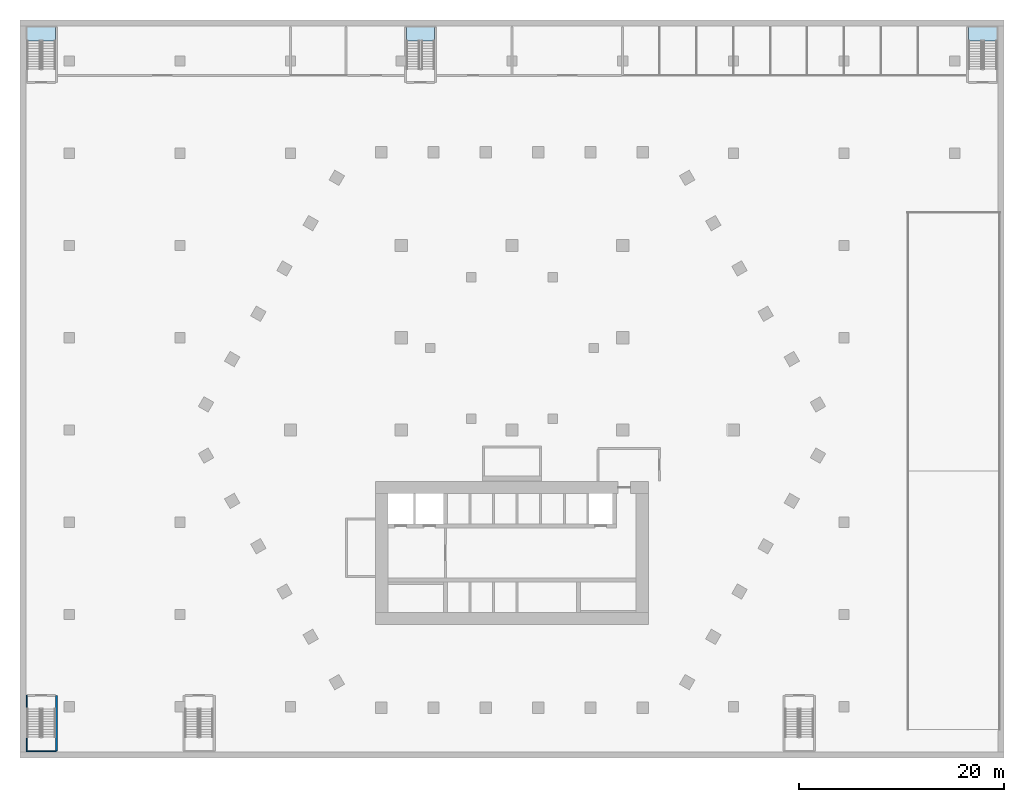
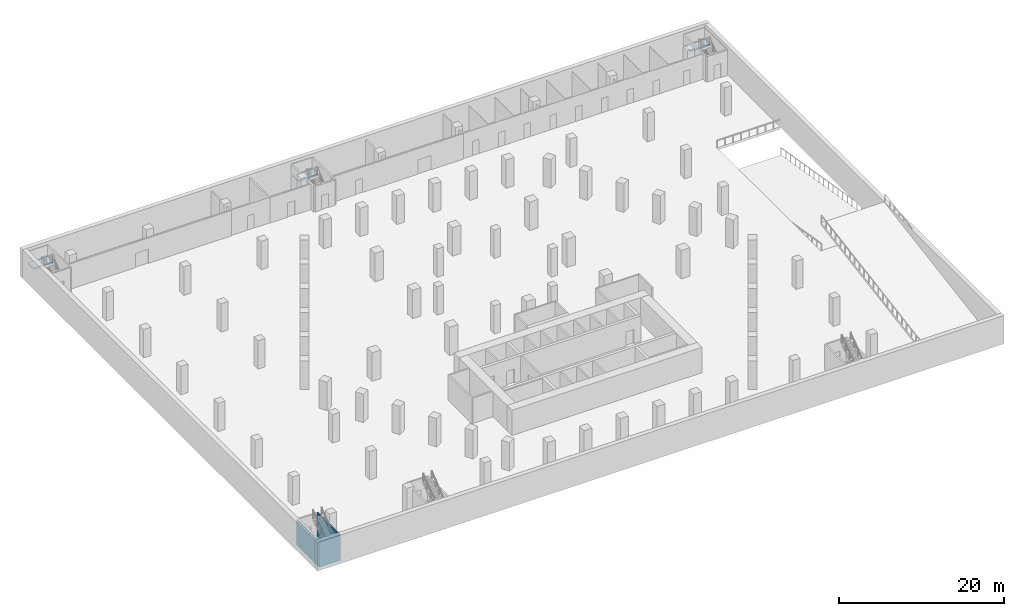
# One storey, part 2 of 20: 3 slabs, 3 walls, 3 elements without a shape of their own.
"""IFC4 building model written with IfcOpenShell, lengths in metres."""

from ifc_helpers import new_model, si_unit, direction, frame, frame_2d, origin, place, context, subcontext, project, spatial, polyline, rectangle, outline, extrude, material, layer, layer_set, type_object, element, aggregate, save


model = new_model("IFC4")

# Units and contexts
model_context = context("Model", 3, precision=1e-05, world=origin(), true_north=direction((0.0, 1.0)))
body_context = subcontext(model_context, "Body", "Model", "MODEL_VIEW")
ifc_project = project(units=[si_unit("LENGTHUNIT", "METRE"), si_unit("AREAUNIT", "SQUARE_METRE"), si_unit("VOLUMEUNIT", "CUBIC_METRE"), si_unit("PLANEANGLEUNIT", "RADIAN"), si_unit("MASSUNIT", "GRAM", prefix="KILO")], contexts=[model_context])

# Site, building, storey
site_placement = place(None, origin())
site = spatial("IfcSite", under=ifc_project, at=site_placement, CompositionType="ELEMENT")
building_placement = place(site_placement, origin())
building = spatial("IfcBuilding", under=site, at=building_placement, Name="Beryl Residences", CompositionType="ELEMENT")
storey_placement = place(building_placement, frame((0.0, 0.0, -4.199951171875)))
storey = spatial("IfcBuildingStorey", under=building, at=storey_placement, Name="B1", CompositionType="ELEMENT", Elevation=-4.199951171875)

# Stair, slab
ifc_material_1 = material(Name="Concrete C40/50", Category="concrete")
stair_type = type_object("IfcStairType", Name="ST1 protected exit stair, half-turn, 1300 mm flights", PredefinedType="HALF_TURN_STAIR", material=ifc_material_1)
stair_1_placement = place(storey_placement, origin())
stair_1 = element("IfcStair", 1, at=stair_1_placement, inside=storey, type_object=stair_type, Name="B1 Basement exit stair 1", PredefinedType="HALF_TURN_STAIR")
ifc_material_2 = material(Name="Concrete C40/50", Category="concrete")
ifc_layer_1 = layer(ifc_material_2, 0.199951171875)
ifc_layer_set_1 = layer_set([ifc_layer_1], Name="SLD1 stair landing 200 mm")
slab_type = type_object("IfcSlabType", Name="SLD1 stair landing 200 mm", PredefinedType="LANDING", material=ifc_layer_set_1)
slab_1_placement = place(storey_placement, frame((0.0, 0.0, 1.89990234375)))
slab_1 = element("IfcSlab", 2, at=slab_1_placement, type_object=slab_type, Name="BS-1 landing 1", PredefinedType="LANDING", context=body_context, shape_type="SweptSolid", body=[
    extrude(outline(polyline([(-44.550048828125, 37.949951171875), (-44.550048828125, 39.300048828125), (-47.300048828125, 39.300048828125), (-47.300048828125, 37.949951171875), (-44.550048828125, 37.949951171875)])), origin(), (0.0, 0.0, 1.0), 0.199951171875),
])
aggregate(stair_1, [slab_1])

stair_2_placement = place(storey_placement, origin())
stair_2 = element("IfcStair", 3, at=stair_2_placement, inside=storey, type_object=stair_type, Name="B1 Basement exit stair 2", PredefinedType="HALF_TURN_STAIR")
slab_2_placement = place(storey_placement, frame((0.0, 0.0, 1.89990234375)))
slab_2 = element("IfcSlab", 4, at=slab_2_placement, type_object=slab_type, Name="BS-2 landing 1", PredefinedType="LANDING", context=body_context, shape_type="SweptSolid", body=[
    extrude(outline(polyline([(-7.550048828125, 37.949951171875), (-7.550048828125, 39.300048828125), (-10.300048828125, 39.300048828125), (-10.300048828125, 37.949951171875), (-7.550048828125, 37.949951171875)])), origin(), (0.0, 0.0, 1.0), 0.199951171875),
])
aggregate(stair_2, [slab_2])

stair_3_placement = place(storey_placement, origin())
stair_3 = element("IfcStair", 5, at=stair_3_placement, inside=storey, type_object=stair_type, Name="B1 Basement exit stair 3", PredefinedType="HALF_TURN_STAIR")
slab_3_placement = place(storey_placement, frame((0.0, 0.0, 1.89990234375)))
slab_3 = element("IfcSlab", 6, at=slab_3_placement, type_object=slab_type, Name="BS-3 landing 1", PredefinedType="LANDING", context=body_context, shape_type="SweptSolid", body=[
    extrude(outline(polyline([(47.300048828125, 37.949951171875), (47.300048828125, 39.300048828125), (44.550048828125, 39.300048828125), (44.550048828125, 37.949951171875), (47.300048828125, 37.949951171875)])), origin(), (0.0, 0.0, 1.0), 0.199951171875),
])
aggregate(stair_3, [slab_3])

# Walls
ifc_material_3 = material(Name="Concrete C40/50", Category="concrete")
ifc_layer_2 = layer(ifc_material_3, 0.199951171875)
ifc_layer_set_2 = layer_set([ifc_layer_2], Name="PT5 stair enclosure wall 200 mm reinforced concrete C40/50")
wall_type_1 = type_object("IfcWallType", Name="PT5 stair enclosure wall 200 mm reinforced concrete C40/50", PredefinedType="SOLIDWALL", material=ifc_layer_set_2)
wall_1_placement = place(storey_placement, frame((-44.449951171875, -31.300048828125, 0.0), z_axis=(0.0, 0.0, 1.0), x_axis=(0.0, 1.0, 0.0)))
element("IfcWall", 7, at=wall_1_placement, inside=storey, type_object=wall_type_1, Name="Wall PT5 B1 007", PredefinedType="SOLIDWALL", context=body_context, shape_type="SweptSolid", body=[
    extrude(rectangle(XDim=5.400146484375, YDim=0.199951171875, at=frame_2d((2.7001953125, 0.0))), origin(), (0.0, 0.0, 1.0), 3.75),
])
ifc_material_4 = material(Name="Concrete C40/50", Category="concrete")
ifc_layer_3 = layer(ifc_material_4, 0.10009765625)
ifc_layer_set_3 = layer_set([ifc_layer_3], Name="PT5-100 stair enclosure wall 100 mm")
wall_type_2 = type_object("IfcWallType", Name="PT5-100 stair enclosure wall 100 mm", PredefinedType="SOLIDWALL", material=ifc_layer_set_3)
wall_2_placement = place(storey_placement, frame((-47.35009765625, -31.39990234375, 0.0), z_axis=(0.0, 0.0, 1.0), x_axis=(0.0, 1.0, 0.0)))
element("IfcWall", 8, at=wall_2_placement, inside=storey, type_object=wall_type_2, Name="Wall PT5-100 B1 006", PredefinedType="SOLIDWALL", context=body_context, shape_type="SweptSolid", body=[
    extrude(rectangle(XDim=5.5, YDim=0.10009765625, at=frame_2d((2.75, 0.0))), origin(), (0.0, 0.0, 1.0), 3.75),
])
wall_3_placement = place(storey_placement, frame((-47.39990234375, -31.35009765625, 0.0), z_axis=(0.0, 0.0, 1.0), x_axis=(1.0, 0.0, 0.0)))
element("IfcWall", 9, at=wall_3_placement, inside=storey, type_object=wall_type_2, Name="Wall PT5-100 B1 007", PredefinedType="SOLIDWALL", context=body_context, shape_type="SweptSolid", body=[
    extrude(rectangle(XDim=2.949951171875, YDim=0.10009765625, at=frame_2d((1.47509765625, 0.0))), origin(), (0.0, 0.0, 1.0), 3.75),
])

save(model, "model.ifc")
